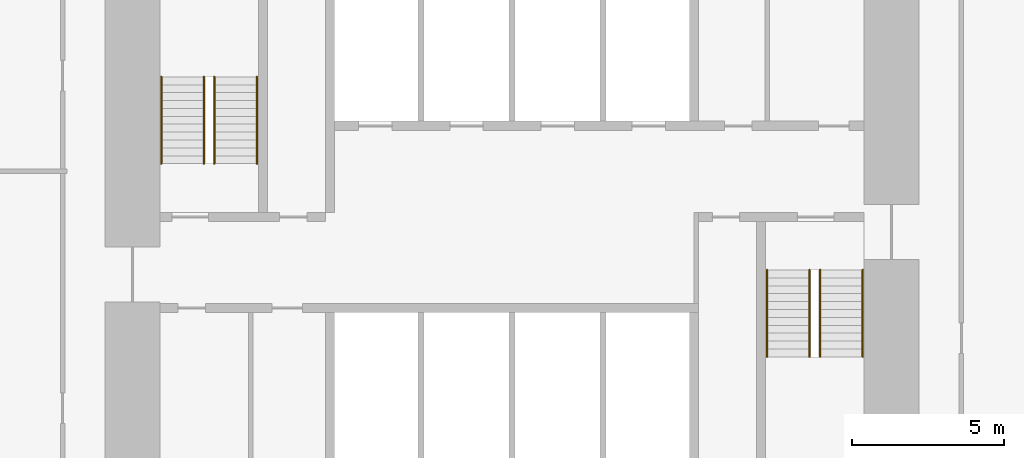
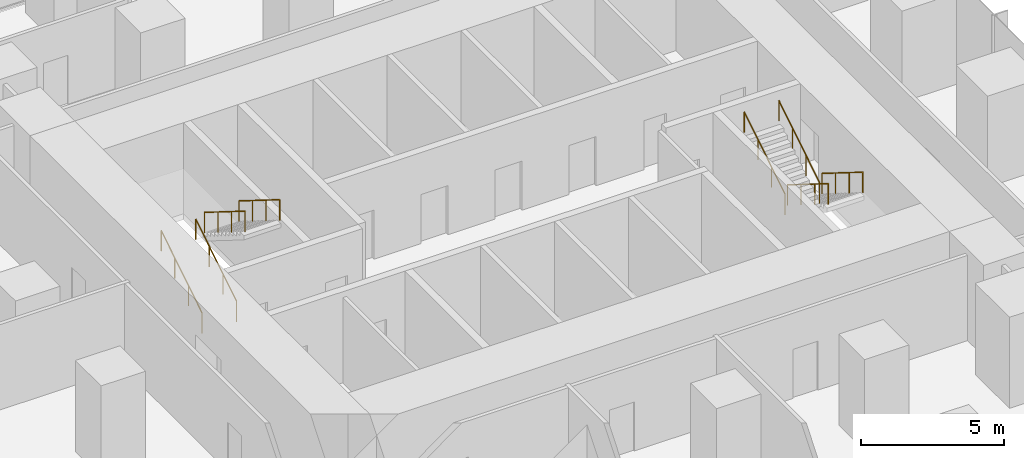
# One storey, part 12 of 12: 8 railings.
"""IFC4 building model written with IfcOpenShell, lengths in metres."""

from ifc_helpers import new_model, si_unit, direction, frame, origin, origin_2d, place, context, subcontext, project, spatial, circle, extrude, material, type_object, element, save


model = new_model("IFC4")

# Units and contexts
model_context = context("Model", 3, precision=1e-05, world=origin(), true_north=direction((0.0, 1.0)))
body_context = subcontext(model_context, "Body", "Model", "MODEL_VIEW")
ifc_project = project(units=[si_unit("LENGTHUNIT", "METRE"), si_unit("AREAUNIT", "SQUARE_METRE"), si_unit("VOLUMEUNIT", "CUBIC_METRE"), si_unit("PLANEANGLEUNIT", "RADIAN"), si_unit("MASSUNIT", "GRAM", prefix="KILO")], contexts=[model_context])

# Site, building, storey
site_placement = place(None, origin())
site = spatial("IfcSite", under=ifc_project, at=site_placement, CompositionType="ELEMENT")
building_placement = place(site_placement, origin())
building = spatial("IfcBuilding", under=site, at=building_placement, Name="Highveld Stack Headquarters", CompositionType="ELEMENT")
storey_placement = place(building_placement, frame((0.0, 0.0, 22.10009765625)))
storey = spatial("IfcBuildingStorey", under=building, at=storey_placement, Name="L04", CompositionType="ELEMENT", Elevation=22.10009765625)

# Railings
ifc_material = material(Name="Stainless steel handrail", Category="steel")
railing_type = type_object("IfcRailingType", Name="STAIR HANDRAIL HR1 900", PredefinedType="HANDRAIL", material=ifc_material)
for number, where, name in (
    (1, (-5.550048828125, 4.75, 0.162353515625), "Handrail S1 L04 flight 1"),
    (2, (-4.14990234375, 4.75, 0.162353515625), "Handrail S1 L04 flight 1"),
):
    element("IfcRailing", number, at=place(storey_placement, frame(where)), inside=storey, type_object=railing_type, Name=name, PredefinedType="HANDRAIL", context=body_context, shape_type="SweptSolid", body=[
        extrude(circle(Radius=0.02392578125, at=origin_2d()), frame((0.0, 0.0, 0.8759765625), z_axis=(0.0, 0.847994237388, 0.530005446535), x_axis=(-1.0, 0.0, 0.0)), (0.0, 0.0, 1.0), 3.372802734375),
        extrude(circle(Radius=0.02099609375, at=origin_2d()), origin(), (0.0, 0.0, 1.0), 0.851806640625),
        extrude(circle(Radius=0.02099609375, at=origin_2d()), frame((0.0, 0.953369140625, 0.595947265625)), (0.0, 0.0, 1.0), 0.851806640625),
        extrude(circle(Radius=0.02099609375, at=origin_2d()), frame((0.0, 1.90673828125, 1.191650390625)), (0.0, 0.0, 1.0), 0.851806640625),
        extrude(circle(Radius=0.02099609375, at=origin_2d()), frame((0.0, 2.860107421875, 1.78759765625)), (0.0, 0.0, 1.0), 0.851806640625),
    ])
for number, where, name in (
    (3, (-3.800048828125, 7.610107421875, 2.1123046875), "Handrail S1 L04 flight 2"),
    (4, (-2.39990234375, 7.610107421875, 2.1123046875), "Handrail S1 L04 flight 2"),
    (5, (16.14990234375, 1.25, 0.162353515625), "Handrail S2 L04 flight 1"),
    (6, (17.550048828125, 1.25, 0.162353515625), "Handrail S2 L04 flight 1"),
):
    element("IfcRailing", number, at=place(storey_placement, frame(where)), inside=storey, type_object=railing_type, Name=name, PredefinedType="HANDRAIL", context=body_context, shape_type="SweptSolid", body=[
        extrude(circle(Radius=0.02392578125, at=origin_2d()), frame((0.0, 0.0, 0.8759765625), z_axis=(0.0, -0.847994237388, 0.530005446535), x_axis=(1.0, 0.0, 0.0)), (0.0, 0.0, 1.0), 3.372802734375),
        extrude(circle(Radius=0.02099609375, at=origin_2d()), origin(), (0.0, 0.0, 1.0), 0.851806640625),
        extrude(circle(Radius=0.02099609375, at=origin_2d()), frame((0.0, -0.953369140625, 0.595947265625)), (0.0, 0.0, 1.0), 0.851806640625),
        extrude(circle(Radius=0.02099609375, at=origin_2d()), frame((0.0, -1.90673828125, 1.191650390625)), (0.0, 0.0, 1.0), 0.851806640625),
        extrude(circle(Radius=0.02099609375, at=origin_2d()), frame((0.0, -2.860107421875, 1.78759765625)), (0.0, 0.0, 1.0), 0.851806640625),
    ])
for number, where, name in (
    (7, (14.39990234375, -1.610107421875, 2.1123046875), "Handrail S2 L04 flight 2"),
    (8, (15.800048828125, -1.610107421875, 2.1123046875), "Handrail S2 L04 flight 2"),
):
    element("IfcRailing", number, at=place(storey_placement, frame(where)), inside=storey, type_object=railing_type, Name=name, PredefinedType="HANDRAIL", context=body_context, shape_type="SweptSolid", body=[
        extrude(circle(Radius=0.02392578125, at=origin_2d()), frame((0.0, 0.0, 0.8759765625), z_axis=(0.0, 0.847994237388, 0.530005446535), x_axis=(-1.0, 0.0, 0.0)), (0.0, 0.0, 1.0), 3.372802734375),
        extrude(circle(Radius=0.02099609375, at=origin_2d()), origin(), (0.0, 0.0, 1.0), 0.851806640625),
        extrude(circle(Radius=0.02099609375, at=origin_2d()), frame((0.0, 0.953369140625, 0.595947265625)), (0.0, 0.0, 1.0), 0.851806640625),
        extrude(circle(Radius=0.02099609375, at=origin_2d()), frame((0.0, 1.90673828125, 1.191650390625)), (0.0, 0.0, 1.0), 0.851806640625),
        extrude(circle(Radius=0.02099609375, at=origin_2d()), frame((0.0, 2.860107421875, 1.78759765625)), (0.0, 0.0, 1.0), 0.851806640625),
    ])

save(model, "model.ifc")
